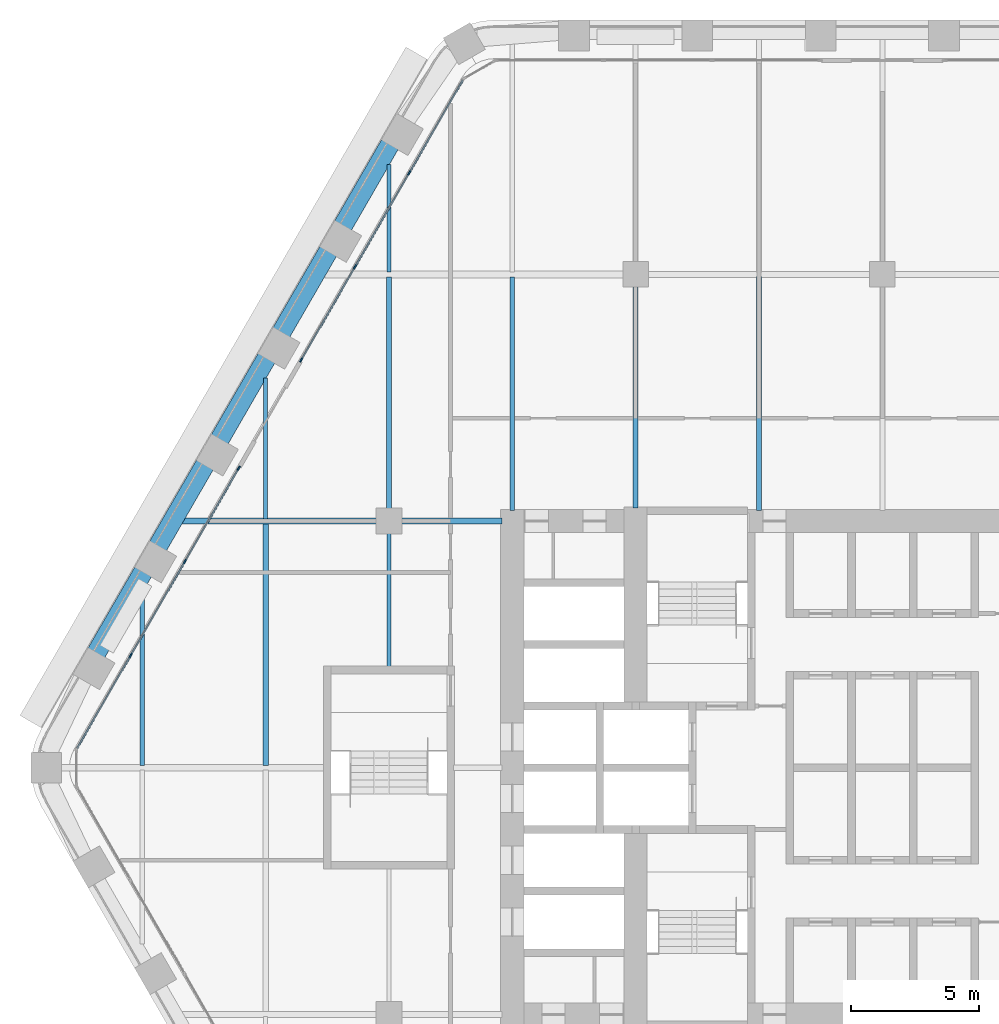
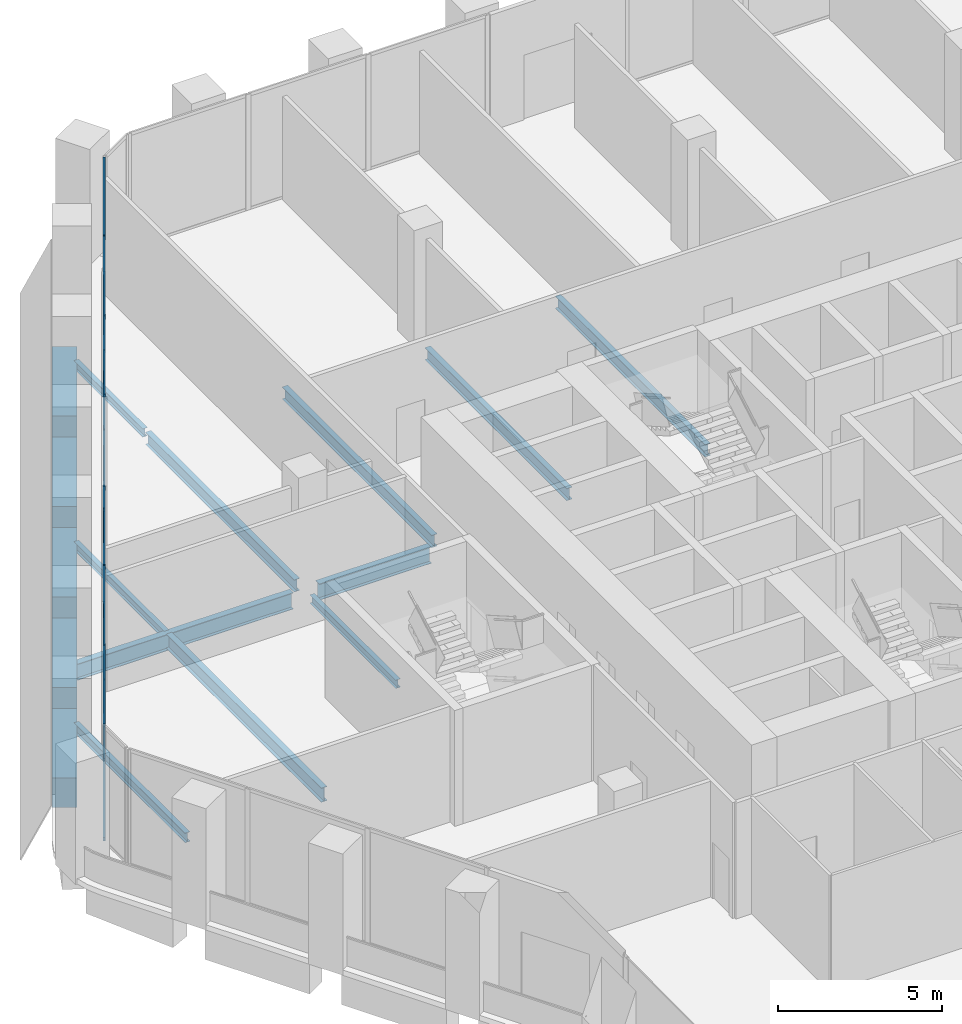
# One storey, part 6 of 22: 18 members, 16 beams, 2 elements without a shape of their own.
"""IFC4 building model written with IfcOpenShell, lengths in metres."""

import ifcopenshell
import ifcopenshell.guid

model = None  # the IFC model being written
_history = None  # IfcOwnerHistory: only IFC2X3 demands one
_inside = {}  # id of a spatial element -> (the spatial element, [elements in it])
_under = {}  # id of a project, library or spatial element -> (it, [spatial elements below it])
_declared = {}  # id of a project -> (the project, [libraries it declares])
_typed = {}  # id of a type object -> (the type object, [elements of that type])
_made_of = {}  # id of a material, layer set ... -> (it, [elements and type objects made of it])


def new_model(schema):
    """Start an empty IFC model of exactly this schema.

    Asked for "IFC4X3", IfcOpenShell would pick the latest addendum, in which some entities
    have other attributes; the version numbers below select the first issue.
    IFC2X3 requires an IfcOwnerHistory on every rooted entity: one is made here for all.
    """
    global model, _history
    if schema == "IFC4X3":
        model = ifcopenshell.file(schema_version=(4, 3, 0, 0))
    else:
        model = ifcopenshell.file(schema=schema)
    _inside.clear()
    _under.clear()
    _declared.clear()
    _typed.clear()
    _made_of.clear()
    _history = None
    if model.schema == "IFC2X3":
        org = make("IfcOrganization", Name="unknown")
        user = make(
            "IfcPersonAndOrganization",
            ThePerson=make("IfcPerson", FamilyName="unknown"),
            TheOrganization=org,
        )
        app = make(
            "IfcApplication",
            ApplicationDeveloper=org,
            Version="unknown",
            ApplicationFullName="unknown",
            ApplicationIdentifier="unknown",
        )
        _history = make(
            "IfcOwnerHistory",
            OwningUser=user,
            OwningApplication=app,
            ChangeAction="ADDED",
            CreationDate=0,
        )
    return model


def make(cls, **values):
    """One entity of the class cls with the attributes given. An attribute that is None is left unset."""
    return model.create_entity(
        cls, **{name: value for name, value in values.items() if value is not None}
    )


def rooted(cls, **values):
    """An entity with a GlobalId (a new one), such as an element, a storey or a relation."""
    return make(cls, GlobalId=ifcopenshell.guid.new(), OwnerHistory=_history, **values)


def si_unit(unit_type, name, prefix=None):
    """IfcSIUnit, for example si_unit("LENGTHUNIT", "METRE", prefix="MILLI")."""
    return make("IfcSIUnit", UnitType=unit_type, Prefix=prefix, Name=name)


def assignment(units):
    """IfcUnitAssignment: the units of a project."""
    return None if units is None else make("IfcUnitAssignment", Units=units)


def point(xyz):
    """IfcCartesianPoint."""
    return None if xyz is None else make("IfcCartesianPoint", Coordinates=xyz)


def direction(xyz):
    """IfcDirection."""
    return None if xyz is None else make("IfcDirection", DirectionRatios=xyz)


def frame(location, z_axis=None, x_axis=None):
    """IfcAxis2Placement3D, a coordinate frame: its origin and axes. An axis left out is left unset."""
    return make(
        "IfcAxis2Placement3D",
        Location=point(location),
        Axis=direction(z_axis),
        RefDirection=direction(x_axis),
    )


def frame_2d(location, x_axis=None):
    """IfcAxis2Placement2D, a coordinate frame in the plane: its origin and x axis."""
    return make(
        "IfcAxis2Placement2D", Location=point(location), RefDirection=direction(x_axis)
    )


def origin():
    """The frame at (0, 0, 0) with its axes left unset."""
    return frame((0.0, 0.0, 0.0))


def origin_2d():
    """The frame at (0, 0) in the plane with its x axis left unset."""
    return frame_2d((0.0, 0.0))


def place(relative_to, where):
    """IfcLocalPlacement: puts the frame where relative to a parent placement (None: the world)."""
    return make(
        "IfcLocalPlacement", PlacementRelTo=relative_to, RelativePlacement=where
    )


def context(
    kind, dimensions, precision=None, world=None, true_north=None, identifier=None
):
    """IfcGeometricRepresentationContext, for example the 3D "Model" context."""
    return make(
        "IfcGeometricRepresentationContext",
        ContextIdentifier=identifier,
        ContextType=kind,
        CoordinateSpaceDimension=dimensions,
        Precision=precision,
        WorldCoordinateSystem=world,
        TrueNorth=true_north,
    )


def subcontext(parent, identifier, kind, view, scale=None):
    """IfcGeometricRepresentationSubContext, for example "Body" below "Model"."""
    return make(
        "IfcGeometricRepresentationSubContext",
        ContextIdentifier=identifier,
        ContextType=kind,
        ParentContext=parent,
        TargetScale=scale,
        TargetView=view,
    )


def project(units=None, contexts=None):
    """IfcProject with its units and contexts."""
    return rooted(
        "IfcProject",
        Name="project",
        RepresentationContexts=contexts,
        UnitsInContext=assignment(units),
    )


def spatial(cls, under=None, at=None, **own):
    """A site, building, storey or space (cls), placed at a placement, below another one or the project."""
    s = rooted(cls, ObjectPlacement=at, **own)
    if under is not None:
        _under.setdefault(under.id(), (under, []))[1].append(s)
    return s


def profile(cls, at=None, kind="AREA", **sizes):
    """A parametric profile (cls). Its sizes go by their IFC names, for example OverallWidth=200.0."""
    return make(cls, ProfileType=kind, Position=at, **sizes)


def rectangle(**sizes):
    """IfcRectangleProfileDef."""
    return profile("IfcRectangleProfileDef", **sizes)


def i_section(**sizes):
    """IfcIShapeProfileDef."""
    return profile("IfcIShapeProfileDef", **sizes)


def extrude(swept, where, along, depth):
    """IfcExtrudedAreaSolid: the profile swept, set in the frame where, extruded along a direction by depth."""
    return make(
        "IfcExtrudedAreaSolid",
        SweptArea=swept,
        Position=where,
        ExtrudedDirection=direction(along),
        Depth=depth,
    )


def shape(context_of_items, identifier, shape_type, items):
    """IfcShapeRepresentation: the items that make up one representation, for example the "Body"."""
    return make(
        "IfcShapeRepresentation",
        ContextOfItems=context_of_items,
        RepresentationIdentifier=identifier,
        RepresentationType=shape_type,
        Items=items,
    )


def material(Name=None, Category=None):
    """IfcMaterial."""
    return make("IfcMaterial", Name=Name, Category=Category)


def material_profile(
    of_material, cross_section, Name=None, Category=None, Priority=None
):
    """IfcMaterialProfile: a cross section and its material."""
    return make(
        "IfcMaterialProfile",
        Name=Name,
        Material=of_material,
        Profile=cross_section,
        Priority=Priority,
        Category=Category,
    )


def profile_set(profiles, Name=None, composite=None):
    """IfcMaterialProfileSet."""
    return make(
        "IfcMaterialProfileSet",
        Name=Name,
        MaterialProfiles=profiles,
        CompositeProfile=composite,
    )


def made_of(thing, what):
    """Note that an element or type object is made of a material, layer set ...; save() writes the relation."""
    if what is not None:
        _made_of.setdefault(what.id(), (what, []))[1].append(thing)
    return thing


def type_object(cls, material=None, **own):
    """A type object (cls), such as IfcWallType, which elements share."""
    return made_of(rooted(cls, **own), material)


def element(
    cls,
    number,
    at=None,
    inside=None,
    cuts=None,
    type_object=None,
    material=None,
    context=None,
    identifier="Body",
    shape_type=None,
    held_by="IfcProductDefinitionShape",
    body=None,
    shapes=None,
    **own,
):
    """One element of the class cls, such as IfcWall. Its Tag is "e" and its number.

    at: its placement. inside: the storey or other place that contains it. cuts: it is an
    opening in that element (IfcRelVoidsElement). A single representation is given by context,
    identifier, shape_type and body (its items); several are given by shapes. held_by: the class
    of the entity that holds the representations. save() writes the other relations.
    """
    e = rooted(cls, Tag="e%d" % number, ObjectPlacement=at, **own)
    if body is not None:
        shapes = [shape(context, identifier, shape_type, body)]
    if shapes is not None:
        e.Representation = make(held_by, Representations=shapes)
    if inside is not None:
        _inside.setdefault(inside.id(), (inside, []))[1].append(e)
    if cuts is not None:
        rooted(
            "IfcRelVoidsElement", RelatingBuildingElement=cuts, RelatedOpeningElement=e
        )
    if type_object is not None:
        _typed.setdefault(type_object.id(), (type_object, []))[1].append(e)
    return made_of(e, material)


def aggregate(whole, parts):
    """IfcRelAggregates: a whole, such as a stair, and the parts it consists of."""
    return rooted("IfcRelAggregates", RelatingObject=whole, RelatedObjects=parts)


def save(model, path):
    """Write the relations noted so far, then the file.

    IfcRelAggregates (storeys below a building ...), IfcRelContainedInSpatialStructure (elements
    in a storey), IfcRelDefinesByType, IfcRelAssociatesMaterial and IfcRelDeclares: one each for
    every whole, place, type object, material and project.
    """
    for whole, parts in _under.values():
        aggregate(whole, parts)
    for where, things in _inside.values():
        rooted(
            "IfcRelContainedInSpatialStructure",
            RelatedElements=things,
            RelatingStructure=where,
        )
    for kind, things in _typed.values():
        rooted("IfcRelDefinesByType", RelatedObjects=things, RelatingType=kind)
    for what, things in _made_of.values():
        rooted("IfcRelAssociatesMaterial", RelatedObjects=things, RelatingMaterial=what)
    for by, libraries in _declared.values():
        rooted("IfcRelDeclares", RelatingContext=by, RelatedDefinitions=libraries)
    model.write(path)


model = new_model("IFC4")

# Units and contexts
model_context = context("Model", 3, precision=1e-05, world=origin(), true_north=direction((0.0, 1.0)))
body_context = subcontext(model_context, "Body", "Model", "MODEL_VIEW")
ifc_project = project(units=[si_unit("LENGTHUNIT", "METRE"), si_unit("AREAUNIT", "SQUARE_METRE"), si_unit("VOLUMEUNIT", "CUBIC_METRE"), si_unit("PLANEANGLEUNIT", "RADIAN"), si_unit("MASSUNIT", "GRAM", prefix="KILO")], contexts=[model_context])

# Site, building, storey
site_placement = place(None, origin())
site = spatial("IfcSite", under=ifc_project, at=site_placement, CompositionType="ELEMENT")
building_placement = place(site_placement, origin())
building = spatial("IfcBuilding", under=site, at=building_placement, Name="Kolab Exchange Tower", CompositionType="ELEMENT")
storey_placement = place(building_placement, frame((0.0, 0.0, 113.89990234375)))
storey = spatial("IfcBuildingStorey", under=building, at=storey_placement, Name="L22", CompositionType="ELEMENT", Elevation=113.89990234375)

# Beams
ifc_material_1 = material(Name="Steel S355", Category="steel")
ifc_material_profile_1 = material_profile(ifc_material_1, i_section(OverallWidth=0.1650390625, OverallDepth=0.31005859375, WebThickness=0.005859375, FlangeThickness=0.009765625, at=origin_2d()), Name="W310X39")
ifc_profile_set_1 = profile_set([ifc_material_profile_1], Name="Steel S355")
beam_type_1 = type_object("IfcBeamType", Name="FLOOR BEAM W310X39", PredefinedType="BEAM", material=ifc_profile_set_1)
beam_1_placement = place(storey_placement, frame((-24.0, 9.674072265625, -0.35498046875), z_axis=(0.0, 1.0, 0.0), x_axis=(-1.0, 0.0, 0.0)))
element("IfcBeam", 1, at=beam_1_placement, inside=storey, type_object=beam_type_1, Name="beam/L22/fr/005", PredefinedType="BEAM", context=body_context, shape_type="SweptSolid", body=[
    extrude(i_section(OverallWidth=0.1650390625, OverallDepth=0.31005859375, WebThickness=0.005859375, FlangeThickness=0.009765625, at=origin_2d()), origin(), (0.0, 0.0, 1.0), 5.49365234375),
])
beam_2_placement = place(storey_placement, frame((-19.199951171875, 3.909912109375, -0.35498046875), z_axis=(0.0, 1.0, 0.0), x_axis=(-1.0, 0.0, 0.0)))
element("IfcBeam", 2, at=beam_2_placement, inside=storey, type_object=beam_type_1, Name="beam/L22/fr/009", PredefinedType="BEAM", context=body_context, shape_type="SweptSolid", body=[
    extrude(i_section(OverallWidth=0.1650390625, OverallDepth=0.31005859375, WebThickness=0.005859375, FlangeThickness=0.009765625, at=origin_2d()), origin(), (0.0, 0.0, 1.0), 5.22998046875),
])
beam_3_placement = place(storey_placement, frame((-19.199951171875, 19.29345703125, -0.35498046875), z_axis=(0.0, 1.0, 0.0), x_axis=(-1.0, 0.0, 0.0)))
element("IfcBeam", 3, at=beam_3_placement, inside=storey, type_object=beam_type_1, Name="beam/L22/fr/011", PredefinedType="BEAM", context=body_context, shape_type="SweptSolid", body=[
    extrude(i_section(OverallWidth=0.1650390625, OverallDepth=0.31005859375, WebThickness=0.005859375, FlangeThickness=0.009765625, at=origin_2d()), origin(), (0.0, 0.0, 1.0), 4.18798828125),
])
ifc_material_profile_2 = material_profile(ifc_material_1, i_section(OverallWidth=0.1708984375, OverallDepth=0.35498046875, WebThickness=0.007080078125, FlangeThickness=0.01171875, at=origin_2d()), Name="W360X51")
ifc_profile_set_2 = profile_set([ifc_material_profile_2], Name="Steel S355")
beam_type_2 = type_object("IfcBeamType", Name="FLOOR BEAM W360X51", PredefinedType="BEAM", material=ifc_profile_set_2)
beam_4_placement = place(storey_placement, frame((-28.800048828125, 0.0869140625, -0.37744140625), z_axis=(0.0, 1.0, 0.0), x_axis=(-1.0, 0.0, 0.0)))
element("IfcBeam", 4, at=beam_4_placement, inside=storey, type_object=beam_type_2, Name="beam/L22/fr/001", PredefinedType="BEAM", context=body_context, shape_type="SweptSolid", body=[
    extrude(i_section(OverallWidth=0.1708984375, OverallDepth=0.35498046875, WebThickness=0.007080078125, FlangeThickness=0.01171875, at=origin_2d()), origin(), (0.0, 0.0, 1.0), 6.766845703125),
])
ifc_material_profile_3 = material_profile(ifc_material_1, i_section(OverallWidth=0.18994140625, OverallDepth=0.45703125, WebThickness=0.009033203125, FlangeThickness=0.014404296875, at=origin_2d()), Name="W460X74")
ifc_profile_set_3 = profile_set([ifc_material_profile_3], Name="Steel S355")
beam_type_3 = type_object("IfcBeamType", Name="FLOOR BEAM W460X74", PredefinedType="BEAM", material=ifc_profile_set_3)
beam_5_placement = place(storey_placement, frame((-19.199951171875, 10.06005859375, -0.428466796875), z_axis=(0.0, 1.0, 0.0), x_axis=(-1.0, 0.0, 0.0)))
element("IfcBeam", 5, at=beam_5_placement, inside=storey, type_object=beam_type_3, Name="beam/L22/fr/010", PredefinedType="BEAM", context=body_context, shape_type="SweptSolid", body=[
    extrude(i_section(OverallWidth=0.18994140625, OverallDepth=0.45703125, WebThickness=0.009033203125, FlangeThickness=0.014404296875, at=origin_2d()), origin(), (0.0, 0.0, 1.0), 9.04638671875),
])
beam_6_placement = place(storey_placement, frame((-14.39990234375, 10.010009765625, -0.428466796875), z_axis=(0.0, 1.0, 0.0), x_axis=(-1.0, 0.0, 0.0)))
element("IfcBeam", 6, at=beam_6_placement, inside=storey, type_object=beam_type_3, Name="beam/L22/fr/014", PredefinedType="BEAM", context=body_context, shape_type="SweptSolid", body=[
    extrude(i_section(OverallWidth=0.18994140625, OverallDepth=0.45703125, WebThickness=0.009033203125, FlangeThickness=0.014404296875, at=origin_2d()), origin(), (0.0, 0.0, 1.0), 9.096435546875),
])
beam_7_placement = place(storey_placement, frame((-9.60009765625, 10.110107421875, -0.428466796875), z_axis=(0.0, 1.0, 0.0), x_axis=(-1.0, 0.0, 0.0)))
element("IfcBeam", 7, at=beam_7_placement, inside=storey, type_object=beam_type_3, Name="beam/L22/fr/018", PredefinedType="BEAM", context=body_context, shape_type="SweptSolid", body=[
    extrude(i_section(OverallWidth=0.18994140625, OverallDepth=0.45703125, WebThickness=0.009033203125, FlangeThickness=0.014404296875, at=origin_2d()), origin(), (0.0, 0.0, 1.0), 8.6298828125),
])
beam_8_placement = place(storey_placement, frame((-4.800048828125, 10.010009765625, -0.428466796875), z_axis=(0.0, 1.0, 0.0), x_axis=(-1.0, 0.0, 0.0)))
element("IfcBeam", 8, at=beam_8_placement, inside=storey, type_object=beam_type_3, Name="beam/L22/fr/022", PredefinedType="BEAM", context=body_context, shape_type="SweptSolid", body=[
    extrude(i_section(OverallWidth=0.18994140625, OverallDepth=0.45703125, WebThickness=0.009033203125, FlangeThickness=0.014404296875, at=origin_2d()), origin(), (0.0, 0.0, 1.0), 9.115966796875),
])
ifc_material_profile_4 = material_profile(ifc_material_1, i_section(OverallWidth=0.208984375, OverallDepth=0.532958984375, WebThickness=0.01025390625, FlangeThickness=0.015625, at=origin_2d()), Name="W530X92")
ifc_profile_set_4 = profile_set([ifc_material_profile_4], Name="Steel S355")
beam_type_4 = type_object("IfcBeamType", Name="FLOOR BEAM W530X92", PredefinedType="BEAM", material=ifc_profile_set_4)
beam_9_placement = place(storey_placement, frame((-24.0, 0.0869140625, -0.46630859375), z_axis=(0.0, 1.0, 0.0), x_axis=(-1.0, 0.0, 0.0)))
element("IfcBeam", 9, at=beam_9_placement, inside=storey, type_object=beam_type_4, Name="beam/L22/fr/004", PredefinedType="BEAM", context=body_context, shape_type="SweptSolid", body=[
    extrude(i_section(OverallWidth=0.208984375, OverallDepth=0.532958984375, WebThickness=0.01025390625, FlangeThickness=0.015625, at=origin_2d()), origin(), (0.0, 0.0, 1.0), 9.43896484375),
])
ifc_material_profile_5 = material_profile(ifc_material_1, i_section(OverallWidth=0.22802734375, OverallDepth=0.60791015625, WebThickness=0.01123046875, FlangeThickness=0.017333984375, at=origin_2d()), Name="W610X113")
ifc_profile_set_5 = profile_set([ifc_material_profile_5], Name="Steel S355")
beam_type_5 = type_object("IfcBeamType", Name="FLOOR GIRDER W610X113", PredefinedType="BEAM", material=ifc_profile_set_5)
beam_10_placement = place(storey_placement, frame((-27.2314453125, 9.60009765625, -0.50390625), z_axis=(1.0, 0.0, 0.0), x_axis=(0.0, 1.0, 0.0)))
element("IfcBeam", 10, at=beam_10_placement, inside=storey, type_object=beam_type_5, Name="beam/L22/gd/002", PredefinedType="BEAM", context=body_context, shape_type="SweptSolid", body=[
    extrude(i_section(OverallWidth=0.22802734375, OverallDepth=0.60791015625, WebThickness=0.01123046875, FlangeThickness=0.017333984375, at=origin_2d()), origin(), (0.0, 0.0, 1.0), 7.571533203125),
])
beam_11_placement = place(storey_placement, frame((-18.739990234375, 9.60009765625, -0.50390625), z_axis=(1.0, 0.0, 0.0), x_axis=(0.0, 1.0, 0.0)))
element("IfcBeam", 11, at=beam_11_placement, inside=storey, type_object=beam_type_5, Name="beam/L22/gd/006", PredefinedType="BEAM", context=body_context, shape_type="SweptSolid", body=[
    extrude(i_section(OverallWidth=0.22802734375, OverallDepth=0.60791015625, WebThickness=0.01123046875, FlangeThickness=0.017333984375, at=origin_2d()), origin(), (0.0, 0.0, 1.0), 3.929931640625),
])
ifc_material_2 = material(Name="Concrete C70/85", Category="concrete")
ifc_material_profile_6 = material_profile(ifc_material_2, rectangle(XDim=0.75, YDim=1.10009765625, at=origin_2d()), Name="RC750X1100")
ifc_profile_set_6 = profile_set([ifc_material_profile_6], Name="Concrete C70/85")
beam_type_6 = type_object("IfcBeamType", Name="SPANDREL BEAM 750X1100 C70/85", PredefinedType="BEAM", material=ifc_profile_set_6)
for number, where, z_axis, x_axis, name in (
    (12, (-30.59521484375, 4.454345703125, -0.75), (0.500013413428, 0.866017659399, 0.0), (-0.866017659399, 0.500013413428, 0.0), "beam/L22/sp/F6-02"),
    (13, (-28.1953125, 8.611328125, -0.75), (0.500013413428, 0.866017659399, 0.0), (-0.866017659399, 0.500013413428, 0.0), "beam/L22/sp/F6-03"),
):
    element("IfcBeam", number, at=place(storey_placement, frame(where, z_axis=z_axis, x_axis=x_axis)), inside=storey, type_object=beam_type_6, Name=name, PredefinedType="BEAM", context=body_context, shape_type="SweptSolid", body=[
        extrude(rectangle(XDim=0.75, YDim=1.10009765625, at=origin_2d()), origin(), (0.0, 0.0, 1.0), 3.68017578125),
    ])
beam_12_placement = place(storey_placement, frame((-25.795166015625, 12.768310546875, -0.75), z_axis=(0.499963655964, 0.866046386007, 0.0), x_axis=(-0.866046386007, 0.499963655964, 0.0)))
element("IfcBeam", 14, at=beam_12_placement, inside=storey, type_object=beam_type_6, Name="beam/L22/sp/F6-04", PredefinedType="BEAM", context=body_context, shape_type="SweptSolid", body=[
    extrude(rectangle(XDim=0.75, YDim=1.10009765625, at=origin_2d()), origin(), (0.0, 0.0, 1.0), 3.679931640625),
])
for number, where, z_axis, x_axis, name in (
    (15, (-23.395263671875, 16.925048828125, -0.75), (0.500013413428, 0.866017659399, 0.0), (-0.866017659399, 0.500013413428, 0.0), "beam/L22/sp/F6-05"),
    (16, (-20.995361328125, 21.08203125, -0.75), (0.500013413428, 0.866017659399, 0.0), (-0.866017659399, 0.500013413428, 0.0), "beam/L22/sp/F6-06"),
):
    element("IfcBeam", number, at=place(storey_placement, frame(where, z_axis=z_axis, x_axis=x_axis)), inside=storey, type_object=beam_type_6, Name=name, PredefinedType="BEAM", context=body_context, shape_type="SweptSolid", body=[
        extrude(rectangle(XDim=0.75, YDim=1.10009765625, at=origin_2d()), origin(), (0.0, 0.0, 1.0), 3.68017578125),
    ])

# Curtain wall, members
ifc_material_3 = material(Name="Aluminium EN AW-6063 T6", Category="aluminium")
curtain_wall_type = type_object("IfcCurtainWallType", Name="UNITISED LOWER MID ZONE CURTAIN WALL", PredefinedType="NOTDEFINED", material=ifc_material_3)
curtain_wall_1_placement = place(storey_placement, origin())
curtain_wall_1 = element("IfcCurtainWall", 17, at=curtain_wall_1_placement, inside=storey, type_object=curtain_wall_type, Name="cw/L22/F6-1", PredefinedType="NOTDEFINED")
ifc_material_profile_7 = material_profile(ifc_material_3, rectangle(XDim=0.06005859375, YDim=0.179931640625, at=origin_2d()), Name="RECT 60X180")
ifc_profile_set_7 = profile_set([ifc_material_profile_7], Name="Aluminium EN AW-6063 T6")
member_type_1 = type_object("IfcMemberType", Name="UNITISED LOWER MID ZONE MULLION 60 X 180", PredefinedType="MULLION", material=ifc_profile_set_7)
member_1_placement = place(storey_placement, frame((-29.25439453125, 4.366943359375, 0.0), z_axis=(0.0, 0.0, 1.0), x_axis=(-0.866025427826, 0.499999958358, 0.0)))
member_1 = element("IfcMember", 18, at=member_1_placement, type_object=member_type_1, Name="CW2 mullion 2", PredefinedType="MULLION", context=body_context, shape_type="SweptSolid", body=[
    extrude(rectangle(XDim=0.06005859375, YDim=0.179931640625, at=origin_2d()), origin(), (0.0, 0.0, 1.0), 4.300048828125),
])
member_2_placement = place(storey_placement, frame((-27.14306640625, 8.02392578125, 0.0), z_axis=(0.0, 0.0, 1.0), x_axis=(-0.866025427826, 0.499999958358, 0.0)))
member_2 = element("IfcMember", 19, at=member_2_placement, type_object=member_type_1, Name="CW2 mullion 3", PredefinedType="MULLION", context=body_context, shape_type="SweptSolid", body=[
    extrude(rectangle(XDim=0.06005859375, YDim=0.179931640625, at=origin_2d()), origin(), (0.0, 0.0, 1.0), 4.300048828125),
])
member_3_placement = place(storey_placement, frame((-25.046630859375, 11.65478515625, 0.0), z_axis=(0.0, 0.0, 1.0), x_axis=(-0.866025427826, 0.499999958358, 0.0)))
member_3 = element("IfcMember", 20, at=member_3_placement, type_object=member_type_1, Name="CW2 mullion 4", PredefinedType="MULLION", context=body_context, shape_type="SweptSolid", body=[
    extrude(rectangle(XDim=0.06005859375, YDim=0.179931640625, at=origin_2d()), origin(), (0.0, 0.0, 1.0), 4.300048828125),
])

curtain_wall_2_placement = place(storey_placement, origin())
curtain_wall_2 = element("IfcCurtainWall", 21, at=curtain_wall_2_placement, inside=storey, type_object=curtain_wall_type, Name="cw/L22/F6-2", PredefinedType="NOTDEFINED")
member_4_placement = place(storey_placement, frame((-22.61669921875, 15.86376953125, 0.0), z_axis=(0.0, 0.0, 1.0), x_axis=(-0.866025393644, 0.500000017564, 0.0)))
member_4 = element("IfcMember", 22, at=member_4_placement, type_object=member_type_1, Name="CW2 mullion 1", PredefinedType="MULLION", context=body_context, shape_type="SweptSolid", body=[
    extrude(rectangle(XDim=0.06005859375, YDim=0.179931640625, at=origin_2d()), origin(), (0.0, 0.0, 1.0), 4.300048828125),
])
member_5_placement = place(storey_placement, frame((-20.520263671875, 19.49462890625, 0.0), z_axis=(0.0, 0.0, 1.0), x_axis=(-0.866025393644, 0.500000017564, 0.0)))
member_5 = element("IfcMember", 23, at=member_5_placement, type_object=member_type_1, Name="CW2 mullion 2", PredefinedType="MULLION", context=body_context, shape_type="SweptSolid", body=[
    extrude(rectangle(XDim=0.06005859375, YDim=0.179931640625, at=origin_2d()), origin(), (0.0, 0.0, 1.0), 4.300048828125),
])
member_6_placement = place(storey_placement, frame((-18.408935546875, 23.151611328125, 0.0), z_axis=(0.0, 0.0, 1.0), x_axis=(-0.866025393644, 0.500000017564, 0.0)))
member_6 = element("IfcMember", 24, at=member_6_placement, type_object=member_type_1, Name="CW2 mullion 3", PredefinedType="MULLION", context=body_context, shape_type="SweptSolid", body=[
    extrude(rectangle(XDim=0.06005859375, YDim=0.179931640625, at=origin_2d()), origin(), (0.0, 0.0, 1.0), 4.300048828125),
])

# Member
ifc_material_profile_8 = material_profile(ifc_material_3, rectangle(XDim=0.06005859375, YDim=0.1201171875, at=origin_2d()), Name="RECT 60X120")
ifc_profile_set_8 = profile_set([ifc_material_profile_8], Name="Aluminium EN AW-6063 T6")
member_type_2 = type_object("IfcMemberType", Name="UNITISED LOWER MID ZONE TRANSOM 60 X 120", PredefinedType="USERDEFINED", material=ifc_profile_set_8)
member_7_placement = place(storey_placement, frame((-31.335693359375, 0.761962890625, 0.030029296875), z_axis=(0.500027577057, 0.866009481578, 0.0), x_axis=(-0.866009481578, 0.500027577057, 0.0)))
member_7 = element("IfcMember", 25, at=member_7_placement, type_object=member_type_2, Name="CW2 transom 1.1", ObjectType="TRANSOM", PredefinedType="USERDEFINED", context=body_context, shape_type="SweptSolid", body=[
    extrude(rectangle(XDim=0.06005859375, YDim=0.1201171875, at=origin_2d()), origin(), (0.0, 0.0, 1.0), 4.132568359375),
])

member_8_placement = place(storey_placement, frame((-31.335693359375, 0.761962890625, 4.27001953125), z_axis=(0.500027577057, 0.866009481578, 0.0), x_axis=(-0.866009481578, 0.500027577057, 0.0)))
member_8 = element("IfcMember", 26, at=member_8_placement, type_object=member_type_2, Name="CW2 transom 1.2", ObjectType="TRANSOM", PredefinedType="USERDEFINED", context=body_context, shape_type="SweptSolid", body=[
    extrude(rectangle(XDim=0.06005859375, YDim=0.1201171875, at=origin_2d()), origin(), (0.0, 0.0, 1.0), 4.132568359375),
])

member_9_placement = place(storey_placement, frame((-29.2392578125, 4.392822265625, 0.030029296875), z_axis=(0.49999322259, 0.866029316688, 0.0), x_axis=(-0.866029316688, 0.49999322259, 0.0)))
member_9 = element("IfcMember", 27, at=member_9_placement, type_object=member_type_2, Name="CW2 transom 2.1", ObjectType="TRANSOM", PredefinedType="USERDEFINED", context=body_context, shape_type="SweptSolid", body=[
    extrude(rectangle(XDim=0.06005859375, YDim=0.1201171875, at=origin_2d()), origin(), (0.0, 0.0, 1.0), 4.16259765625),
])

member_10_placement = place(storey_placement, frame((-29.2392578125, 4.392822265625, 4.27001953125), z_axis=(0.49999322259, 0.866029316688, 0.0), x_axis=(-0.866029316688, 0.49999322259, 0.0)))
member_10 = element("IfcMember", 28, at=member_10_placement, type_object=member_type_2, Name="CW2 transom 2.2", ObjectType="TRANSOM", PredefinedType="USERDEFINED", context=body_context, shape_type="SweptSolid", body=[
    extrude(rectangle(XDim=0.06005859375, YDim=0.1201171875, at=origin_2d()), origin(), (0.0, 0.0, 1.0), 4.16259765625),
])

member_11_placement = place(storey_placement, frame((-27.1279296875, 8.0498046875, 0.030029296875), z_axis=(0.499957688808, 0.866049830784, 0.0), x_axis=(-0.866049830784, 0.499957688808, 0.0)))
member_11 = element("IfcMember", 29, at=member_11_placement, type_object=member_type_2, Name="CW2 transom 3.1", ObjectType="TRANSOM", PredefinedType="USERDEFINED", context=body_context, shape_type="SweptSolid", body=[
    extrude(rectangle(XDim=0.06005859375, YDim=0.1201171875, at=origin_2d()), origin(), (0.0, 0.0, 1.0), 4.132568359375),
])

member_12_placement = place(storey_placement, frame((-27.1279296875, 8.0498046875, 4.27001953125), z_axis=(0.499957688808, 0.866049830784, 0.0), x_axis=(-0.866049830784, 0.499957688808, 0.0)))
member_12 = element("IfcMember", 30, at=member_12_placement, type_object=member_type_2, Name="CW2 transom 3.2", ObjectType="TRANSOM", PredefinedType="USERDEFINED", context=body_context, shape_type="SweptSolid", body=[
    extrude(rectangle(XDim=0.06005859375, YDim=0.1201171875, at=origin_2d()), origin(), (0.0, 0.0, 1.0), 4.132568359375),
])

aggregate(curtain_wall_1, [member_1, member_2, member_3, member_7, member_8, member_9, member_10, member_11, member_12])

member_13_placement = place(storey_placement, frame((-22.6015625, 15.8896484375, 0.030029296875), z_axis=(0.499957688808, 0.866049830784, 0.0), x_axis=(-0.866049830784, 0.499957688808, 0.0)))
member_13 = element("IfcMember", 31, at=member_13_placement, type_object=member_type_2, Name="CW2 transom 1.1", ObjectType="TRANSOM", PredefinedType="USERDEFINED", context=body_context, shape_type="SweptSolid", body=[
    extrude(rectangle(XDim=0.06005859375, YDim=0.1201171875, at=origin_2d()), origin(), (0.0, 0.0, 1.0), 4.132568359375),
])

member_14_placement = place(storey_placement, frame((-22.6015625, 15.8896484375, 4.27001953125), z_axis=(0.499957688808, 0.866049830784, 0.0), x_axis=(-0.866049830784, 0.499957688808, 0.0)))
member_14 = element("IfcMember", 32, at=member_14_placement, type_object=member_type_2, Name="CW2 transom 1.2", ObjectType="TRANSOM", PredefinedType="USERDEFINED", context=body_context, shape_type="SweptSolid", body=[
    extrude(rectangle(XDim=0.06005859375, YDim=0.1201171875, at=origin_2d()), origin(), (0.0, 0.0, 1.0), 4.132568359375),
])

member_15_placement = place(storey_placement, frame((-20.50537109375, 19.5205078125, 0.030029296875), z_axis=(0.49999322259, 0.866029316688, 0.0), x_axis=(-0.866029316688, 0.49999322259, 0.0)))
member_15 = element("IfcMember", 33, at=member_15_placement, type_object=member_type_2, Name="CW2 transom 2.1", ObjectType="TRANSOM", PredefinedType="USERDEFINED", context=body_context, shape_type="SweptSolid", body=[
    extrude(rectangle(XDim=0.06005859375, YDim=0.1201171875, at=origin_2d()), origin(), (0.0, 0.0, 1.0), 4.16259765625),
])

member_16_placement = place(storey_placement, frame((-20.50537109375, 19.5205078125, 4.27001953125), z_axis=(0.49999322259, 0.866029316688, 0.0), x_axis=(-0.866029316688, 0.49999322259, 0.0)))
member_16 = element("IfcMember", 34, at=member_16_placement, type_object=member_type_2, Name="CW2 transom 2.2", ObjectType="TRANSOM", PredefinedType="USERDEFINED", context=body_context, shape_type="SweptSolid", body=[
    extrude(rectangle(XDim=0.06005859375, YDim=0.1201171875, at=origin_2d()), origin(), (0.0, 0.0, 1.0), 4.16259765625),
])

member_17_placement = place(storey_placement, frame((-18.39404296875, 23.177490234375, 0.030029296875), z_axis=(0.500001996123, 0.866024251319, 0.0), x_axis=(-0.866024251319, 0.500001996123, 0.0)))
member_17 = element("IfcMember", 35, at=member_17_placement, type_object=member_type_2, Name="CW2 transom 3.1", ObjectType="TRANSOM", PredefinedType="USERDEFINED", context=body_context, shape_type="SweptSolid", body=[
    extrude(rectangle(XDim=0.06005859375, YDim=0.1201171875, at=origin_2d()), origin(), (0.0, 0.0, 1.0), 4.1328125),
])

member_18_placement = place(storey_placement, frame((-18.39404296875, 23.177490234375, 4.27001953125), z_axis=(0.500001996123, 0.866024251319, 0.0), x_axis=(-0.866024251319, 0.500001996123, 0.0)))
member_18 = element("IfcMember", 36, at=member_18_placement, type_object=member_type_2, Name="CW2 transom 3.2", ObjectType="TRANSOM", PredefinedType="USERDEFINED", context=body_context, shape_type="SweptSolid", body=[
    extrude(rectangle(XDim=0.06005859375, YDim=0.1201171875, at=origin_2d()), origin(), (0.0, 0.0, 1.0), 4.1328125),
])

aggregate(curtain_wall_2, [member_4, member_5, member_6, member_13, member_14, member_15, member_16, member_17, member_18])

save(model, "model.ifc")
